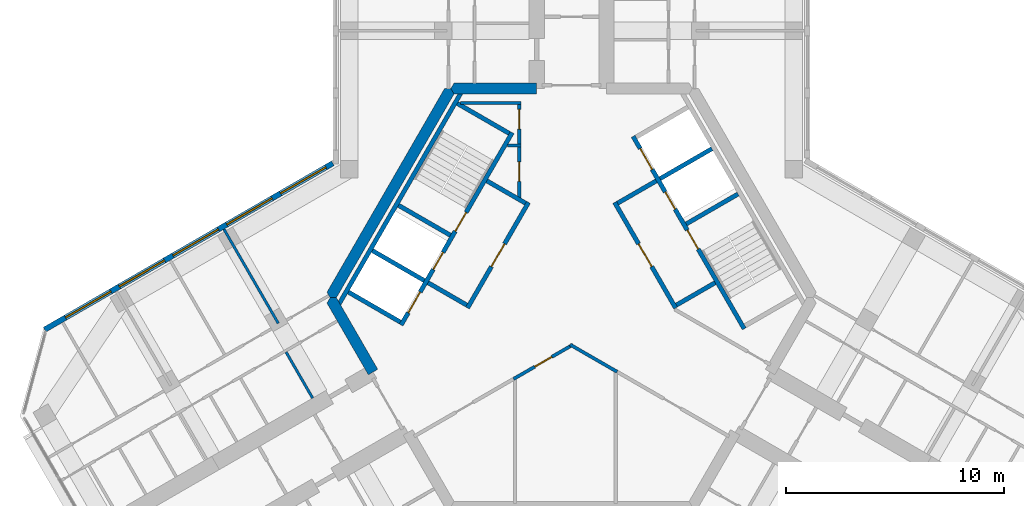
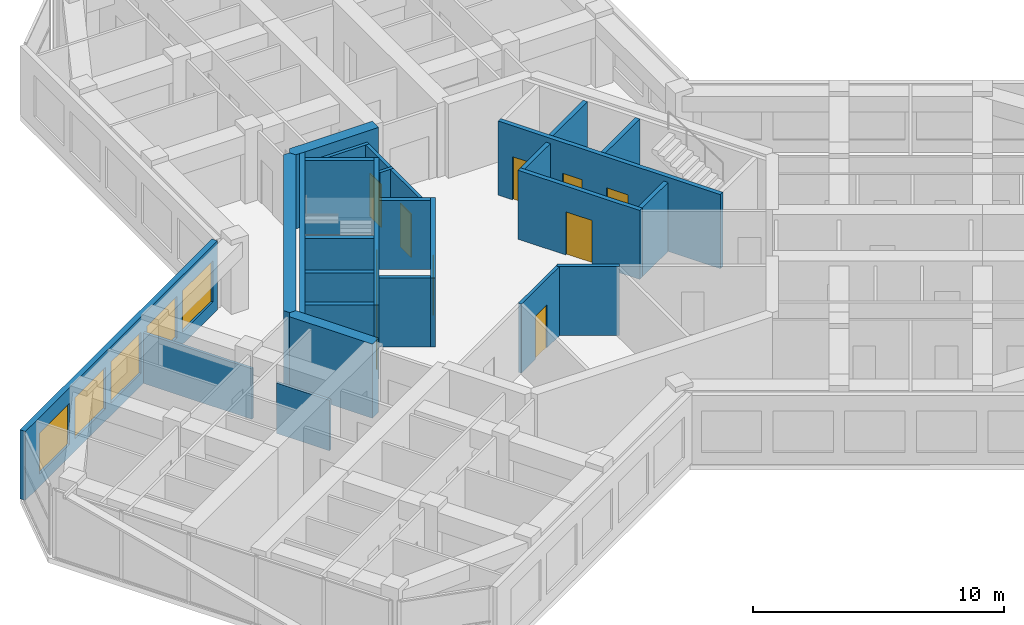
# One storey, part 9 of 14: 26 walls, 11 doors, 5 windows, 16 openings.
"""IFC4 building model written with IfcOpenShell, lengths in metres."""

import ifcopenshell
import ifcopenshell.guid

model = None  # the IFC model being written
_history = None  # IfcOwnerHistory: only IFC2X3 demands one
_inside = {}  # id of a spatial element -> (the spatial element, [elements in it])
_under = {}  # id of a project, library or spatial element -> (it, [spatial elements below it])
_declared = {}  # id of a project -> (the project, [libraries it declares])
_typed = {}  # id of a type object -> (the type object, [elements of that type])
_made_of = {}  # id of a material, layer set ... -> (it, [elements and type objects made of it])


def new_model(schema):
    """Start an empty IFC model of exactly this schema.

    Asked for "IFC4X3", IfcOpenShell would pick the latest addendum, in which some entities
    have other attributes; the version numbers below select the first issue.
    IFC2X3 requires an IfcOwnerHistory on every rooted entity: one is made here for all.
    """
    global model, _history
    if schema == "IFC4X3":
        model = ifcopenshell.file(schema_version=(4, 3, 0, 0))
    else:
        model = ifcopenshell.file(schema=schema)
    _inside.clear()
    _under.clear()
    _declared.clear()
    _typed.clear()
    _made_of.clear()
    _history = None
    if model.schema == "IFC2X3":
        org = make("IfcOrganization", Name="unknown")
        user = make(
            "IfcPersonAndOrganization",
            ThePerson=make("IfcPerson", FamilyName="unknown"),
            TheOrganization=org,
        )
        app = make(
            "IfcApplication",
            ApplicationDeveloper=org,
            Version="unknown",
            ApplicationFullName="unknown",
            ApplicationIdentifier="unknown",
        )
        _history = make(
            "IfcOwnerHistory",
            OwningUser=user,
            OwningApplication=app,
            ChangeAction="ADDED",
            CreationDate=0,
        )
    return model


def make(cls, **values):
    """One entity of the class cls with the attributes given. An attribute that is None is left unset."""
    return model.create_entity(
        cls, **{name: value for name, value in values.items() if value is not None}
    )


def rooted(cls, **values):
    """An entity with a GlobalId (a new one), such as an element, a storey or a relation."""
    return make(cls, GlobalId=ifcopenshell.guid.new(), OwnerHistory=_history, **values)


def si_unit(unit_type, name, prefix=None):
    """IfcSIUnit, for example si_unit("LENGTHUNIT", "METRE", prefix="MILLI")."""
    return make("IfcSIUnit", UnitType=unit_type, Prefix=prefix, Name=name)


def assignment(units):
    """IfcUnitAssignment: the units of a project."""
    return None if units is None else make("IfcUnitAssignment", Units=units)


def point(xyz):
    """IfcCartesianPoint."""
    return None if xyz is None else make("IfcCartesianPoint", Coordinates=xyz)


def direction(xyz):
    """IfcDirection."""
    return None if xyz is None else make("IfcDirection", DirectionRatios=xyz)


def frame(location, z_axis=None, x_axis=None):
    """IfcAxis2Placement3D, a coordinate frame: its origin and axes. An axis left out is left unset."""
    return make(
        "IfcAxis2Placement3D",
        Location=point(location),
        Axis=direction(z_axis),
        RefDirection=direction(x_axis),
    )


def frame_2d(location, x_axis=None):
    """IfcAxis2Placement2D, a coordinate frame in the plane: its origin and x axis."""
    return make(
        "IfcAxis2Placement2D", Location=point(location), RefDirection=direction(x_axis)
    )


def origin():
    """The frame at (0, 0, 0) with its axes left unset."""
    return frame((0.0, 0.0, 0.0))


def place(relative_to, where):
    """IfcLocalPlacement: puts the frame where relative to a parent placement (None: the world)."""
    return make(
        "IfcLocalPlacement", PlacementRelTo=relative_to, RelativePlacement=where
    )


def context(
    kind, dimensions, precision=None, world=None, true_north=None, identifier=None
):
    """IfcGeometricRepresentationContext, for example the 3D "Model" context."""
    return make(
        "IfcGeometricRepresentationContext",
        ContextIdentifier=identifier,
        ContextType=kind,
        CoordinateSpaceDimension=dimensions,
        Precision=precision,
        WorldCoordinateSystem=world,
        TrueNorth=true_north,
    )


def subcontext(parent, identifier, kind, view, scale=None):
    """IfcGeometricRepresentationSubContext, for example "Body" below "Model"."""
    return make(
        "IfcGeometricRepresentationSubContext",
        ContextIdentifier=identifier,
        ContextType=kind,
        ParentContext=parent,
        TargetScale=scale,
        TargetView=view,
    )


def project(units=None, contexts=None):
    """IfcProject with its units and contexts."""
    return rooted(
        "IfcProject",
        Name="project",
        RepresentationContexts=contexts,
        UnitsInContext=assignment(units),
    )


def spatial(cls, under=None, at=None, **own):
    """A site, building, storey or space (cls), placed at a placement, below another one or the project."""
    s = rooted(cls, ObjectPlacement=at, **own)
    if under is not None:
        _under.setdefault(under.id(), (under, []))[1].append(s)
    return s


def polyline(points):
    """IfcPolyline through the points."""
    return make("IfcPolyline", Points=[point(p) for p in points])


def profile(cls, at=None, kind="AREA", **sizes):
    """A parametric profile (cls). Its sizes go by their IFC names, for example OverallWidth=200.0."""
    return make(cls, ProfileType=kind, Position=at, **sizes)


def rectangle(**sizes):
    """IfcRectangleProfileDef."""
    return profile("IfcRectangleProfileDef", **sizes)


def outline(outer, holes=None, kind="AREA"):
    """IfcArbitraryClosedProfileDef: a profile drawn as a closed curve; with holes, ...WithVoids."""
    if holes is None:
        return make("IfcArbitraryClosedProfileDef", ProfileType=kind, OuterCurve=outer)
    return make(
        "IfcArbitraryProfileDefWithVoids",
        ProfileType=kind,
        OuterCurve=outer,
        InnerCurves=holes,
    )


def extrude(swept, where, along, depth):
    """IfcExtrudedAreaSolid: the profile swept, set in the frame where, extruded along a direction by depth."""
    return make(
        "IfcExtrudedAreaSolid",
        SweptArea=swept,
        Position=where,
        ExtrudedDirection=direction(along),
        Depth=depth,
    )


def shape(context_of_items, identifier, shape_type, items):
    """IfcShapeRepresentation: the items that make up one representation, for example the "Body"."""
    return make(
        "IfcShapeRepresentation",
        ContextOfItems=context_of_items,
        RepresentationIdentifier=identifier,
        RepresentationType=shape_type,
        Items=items,
    )


def material(Name=None, Category=None):
    """IfcMaterial."""
    return make("IfcMaterial", Name=Name, Category=Category)


def layer(
    of_material, thickness, ventilated=None, Name=None, Category=None, Priority=None
):
    """IfcMaterialLayer: one layer of a wall or slab, of a material (None: an air gap)."""
    return make(
        "IfcMaterialLayer",
        Material=of_material,
        LayerThickness=thickness,
        IsVentilated=ventilated,
        Name=Name,
        Category=Category,
        Priority=Priority,
    )


def layer_set(layers, Name=None):
    """IfcMaterialLayerSet."""
    return make("IfcMaterialLayerSet", MaterialLayers=layers, LayerSetName=Name)


def made_of(thing, what):
    """Note that an element or type object is made of a material, layer set ...; save() writes the relation."""
    if what is not None:
        _made_of.setdefault(what.id(), (what, []))[1].append(thing)
    return thing


def type_object(cls, material=None, **own):
    """A type object (cls), such as IfcWallType, which elements share."""
    return made_of(rooted(cls, **own), material)


def element(
    cls,
    number,
    at=None,
    inside=None,
    cuts=None,
    type_object=None,
    material=None,
    context=None,
    identifier="Body",
    shape_type=None,
    held_by="IfcProductDefinitionShape",
    body=None,
    shapes=None,
    **own,
):
    """One element of the class cls, such as IfcWall. Its Tag is "e" and its number.

    at: its placement. inside: the storey or other place that contains it. cuts: it is an
    opening in that element (IfcRelVoidsElement). A single representation is given by context,
    identifier, shape_type and body (its items); several are given by shapes. held_by: the class
    of the entity that holds the representations. save() writes the other relations.
    """
    e = rooted(cls, Tag="e%d" % number, ObjectPlacement=at, **own)
    if body is not None:
        shapes = [shape(context, identifier, shape_type, body)]
    if shapes is not None:
        e.Representation = make(held_by, Representations=shapes)
    if inside is not None:
        _inside.setdefault(inside.id(), (inside, []))[1].append(e)
    if cuts is not None:
        rooted(
            "IfcRelVoidsElement", RelatingBuildingElement=cuts, RelatedOpeningElement=e
        )
    if type_object is not None:
        _typed.setdefault(type_object.id(), (type_object, []))[1].append(e)
    return made_of(e, material)


def fill(opening, filler):
    """IfcRelFillsElement: the door or window that sits in an opening."""
    return rooted(
        "IfcRelFillsElement",
        RelatingOpeningElement=opening,
        RelatedBuildingElement=filler,
    )


def aggregate(whole, parts):
    """IfcRelAggregates: a whole, such as a stair, and the parts it consists of."""
    return rooted("IfcRelAggregates", RelatingObject=whole, RelatedObjects=parts)


def save(model, path):
    """Write the relations noted so far, then the file.

    IfcRelAggregates (storeys below a building ...), IfcRelContainedInSpatialStructure (elements
    in a storey), IfcRelDefinesByType, IfcRelAssociatesMaterial and IfcRelDeclares: one each for
    every whole, place, type object, material and project.
    """
    for whole, parts in _under.values():
        aggregate(whole, parts)
    for where, things in _inside.values():
        rooted(
            "IfcRelContainedInSpatialStructure",
            RelatedElements=things,
            RelatingStructure=where,
        )
    for kind, things in _typed.values():
        rooted("IfcRelDefinesByType", RelatedObjects=things, RelatingType=kind)
    for what, things in _made_of.values():
        rooted("IfcRelAssociatesMaterial", RelatedObjects=things, RelatingMaterial=what)
    for by, libraries in _declared.values():
        rooted("IfcRelDeclares", RelatingContext=by, RelatedDefinitions=libraries)
    model.write(path)


model = new_model("IFC4")

# Units and contexts
model_context = context("Model", 3, precision=1e-05, world=origin(), true_north=direction((0.0, 1.0)))
body_context = subcontext(model_context, "Body", "Model", "MODEL_VIEW")
ifc_project = project(units=[si_unit("LENGTHUNIT", "METRE"), si_unit("AREAUNIT", "SQUARE_METRE"), si_unit("VOLUMEUNIT", "CUBIC_METRE"), si_unit("PLANEANGLEUNIT", "RADIAN"), si_unit("MASSUNIT", "GRAM", prefix="KILO")], contexts=[model_context])

# Site, building, storey
site_placement = place(None, origin())
site = spatial("IfcSite", under=ifc_project, at=site_placement, CompositionType="ELEMENT")
building_placement = place(site_placement, origin())
building = spatial("IfcBuilding", under=site, at=building_placement, Name="Kosmar Iwan School Tower", CompositionType="ELEMENT")
storey_placement = place(building_placement, frame((0.0, 0.0, 289.0)))
storey = spatial("IfcBuildingStorey", under=building, at=storey_placement, Name="L73", CompositionType="ELEMENT", Elevation=289.0)

# Wall, openings, doors
ifc_material_1 = material(Name="Gypsum board on steel studs, fire-rated", Category="steel")
ifc_layer_1 = layer(ifc_material_1, 0.14990234375)
ifc_layer_set_1 = layer_set([ifc_layer_1], Name="Core room partition 150")
wall_type_1 = type_object("IfcWallType", Name="Core room partition 150", PredefinedType="PARTITIONING", material=ifc_layer_set_1)
wall_1_placement = place(storey_placement, frame((-2.39990234375, 9.014892578125, 0.0), z_axis=(0.0, 0.0, 1.0), x_axis=(0.0, -1.0, 0.0)))
wall_1 = element("IfcWall", 1, at=wall_1_placement, inside=storey, type_object=wall_type_1, Name="Core room partition L73-CW1", PredefinedType="PARTITIONING", context=body_context, shape_type="SweptSolid", body=[
    extrude(rectangle(XDim=4.484130859375, YDim=0.14990234375, at=frame_2d((2.2421875, 0.0))), origin(), (0.0, 0.0, 1.0), 3.35009765625),
])
opening_1_placement = place(wall_1_placement, frame((0.375, 0.0, 0.0)))
opening_1 = element("IfcOpeningElement", 2, at=opening_1_placement, cuts=wall_1, Name="Opening D14", PredefinedType="OPENING", context=body_context, shape_type="SweptSolid", body=[
    extrude(rectangle(XDim=0.89990234375, YDim=2.10009765625, at=frame_2d((0.449951171875, 1.050048828125))), frame((0.0, 0.0869140625, 0.0), z_axis=(0.0, -1.0, 0.0), x_axis=(1.0, 0.0, 0.0)), (0.0, 0.0, 1.0), 0.173828125),
])
opening_2_placement = place(wall_1_placement, frame((2.77490234375, 0.0, 0.0)))
opening_2 = element("IfcOpeningElement", 3, at=opening_2_placement, cuts=wall_1, Name="Opening D14", PredefinedType="OPENING", context=body_context, shape_type="SweptSolid", body=[
    extrude(rectangle(XDim=0.89990234375, YDim=2.10009765625, at=frame_2d((0.449951171875, 1.050048828125))), frame((0.0, 0.0869140625, 0.0), z_axis=(0.0, -1.0, 0.0), x_axis=(1.0, 0.0, 0.0)), (0.0, 0.0, 1.0), 0.173828125),
])
ifc_material_2 = material(Name="Timber fire door in steel frame", Category="steel")
door_type_1 = type_object("IfcDoorType", Name="Core room door 900x2100", OperationType="SINGLE_SWING_LEFT", PredefinedType="DOOR", material=ifc_material_2)
door_1_placement = place(opening_1_placement, origin())
door_1 = element("IfcDoor", 4, at=door_1_placement, inside=storey, type_object=door_type_1, Name="Electrical riser and switch room door L73 1", OperationType="SINGLE_SWING_LEFT", OverallHeight=2.10009765625, OverallWidth=0.89990234375, PredefinedType="DOOR", context=body_context, shape_type="SweptSolid", body=[
    extrude(rectangle(XDim=0.89990234375, YDim=2.10009765625, at=frame_2d((0.449951171875, 1.050048828125))), frame((0.0, 0.02490234375, 0.0), z_axis=(0.0, -1.0, 0.0), x_axis=(1.0, 0.0, 0.0)), (0.0, 0.0, 1.0), 0.050048828125),
])
fill(opening_1, door_1)
door_2_placement = place(opening_2_placement, origin())
door_2 = element("IfcDoor", 5, at=door_2_placement, inside=storey, type_object=door_type_1, Name="Plumbing and wet riser door L73 2", OperationType="SINGLE_SWING_RIGHT", OverallHeight=2.10009765625, OverallWidth=0.89990234375, PredefinedType="DOOR", context=body_context, shape_type="SweptSolid", body=[
    extrude(rectangle(XDim=0.89990234375, YDim=2.10009765625, at=frame_2d((0.449951171875, 1.050048828125))), frame((0.0, 0.02490234375, 0.0), z_axis=(0.0, -1.0, 0.0), x_axis=(1.0, 0.0, 0.0)), (0.0, 0.0, 1.0), 0.050048828125),
])
fill(opening_2, door_2)

# Walls
wall_2_placement = place(storey_placement, frame((-2.324951171875, 6.985107421875, 0.0), z_axis=(0.0, 0.0, 1.0), x_axis=(-1.0, 0.0, 0.0)))
element("IfcWall", 6, at=wall_2_placement, inside=storey, type_object=wall_type_1, Name="Core room partition L73-CW2", PredefinedType="PARTITIONING", context=body_context, shape_type="SweptSolid", body=[
    extrude(rectangle(XDim=0.623779296875, YDim=0.14990234375, at=frame_2d((0.31201171875, 0.0))), origin(), (0.0, 0.0, 1.0), 3.35009765625),
])
wall_3_placement = place(storey_placement, frame((-5.089599609375, 8.93994140625, 0.0), z_axis=(0.0, 0.0, 1.0), x_axis=(1.0, 0.0, 0.0)))
element("IfcWall", 7, at=wall_3_placement, inside=storey, type_object=wall_type_1, Name="Core room partition L73-CW3", PredefinedType="PARTITIONING", context=body_context, shape_type="SweptSolid", body=[
    extrude(rectangle(XDim=2.7646484375, YDim=0.14990234375, at=frame_2d((1.38232421875, 0.0))), origin(), (0.0, 0.0, 1.0), 3.35009765625),
])

# Wall, opening, door
wall_4_placement = place(storey_placement, frame((-2.666015625, -3.733154296875, 0.0), z_axis=(0.0, 0.0, 1.0), x_axis=(0.866033453245, 0.499986057666, 0.0)))
wall_4 = element("IfcWall", 8, at=wall_4_placement, inside=storey, type_object=wall_type_1, Name="Core room partition L73-CW8", PredefinedType="PARTITIONING", context=body_context, shape_type="SweptSolid", body=[
    extrude(rectangle(XDim=3.1533203125, YDim=0.14990234375, at=frame_2d((1.57666015625, 0.0))), origin(), (0.0, 0.0, 1.0), 3.35009765625),
])
opening_3_placement = place(wall_4_placement, frame((1.126953125, 0.0, 0.0)))
opening_3 = element("IfcOpeningElement", 9, at=opening_3_placement, cuts=wall_4, Name="Opening D14", PredefinedType="OPENING", context=body_context, shape_type="SweptSolid", body=[
    extrude(rectangle(XDim=0.89990234375, YDim=2.10009765625, at=frame_2d((0.449951171875, 1.050048828125))), frame((0.0, 0.0869140625, 0.0), z_axis=(0.0, -1.0, 0.0), x_axis=(1.0, 0.0, 0.0)), (0.0, 0.0, 1.0), 0.173828125),
])
door_3_placement = place(opening_3_placement, origin())
door_3 = element("IfcDoor", 10, at=door_3_placement, inside=storey, type_object=door_type_1, Name="Parcel room door L73 4", OperationType="SINGLE_SWING_RIGHT", OverallHeight=2.10009765625, OverallWidth=0.89990234375, PredefinedType="DOOR", context=body_context, shape_type="SweptSolid", body=[
    extrude(rectangle(XDim=0.89990234375, YDim=2.10009765625, at=frame_2d((0.449951171875, 1.050048828125))), frame((0.0, 0.02490234375, 0.0), z_axis=(0.0, -1.0, 0.0), x_axis=(1.0, 0.0, 0.0)), (0.0, 0.0, 1.0), 0.050048828125),
])
fill(opening_3, door_3)

# Walls
wall_5_placement = place(storey_placement, frame((-0.06494140625, -2.156494140625, 0.0), z_axis=(0.0, 0.0, 1.0), x_axis=(0.866053128592, -0.49995197615, 0.0)))
element("IfcWall", 11, at=wall_5_placement, inside=storey, type_object=wall_type_1, Name="Core room partition L73-CW9", PredefinedType="PARTITIONING", context=body_context, shape_type="SweptSolid", body=[
    extrude(rectangle(XDim=2.486083984375, YDim=0.14990234375, at=frame_2d((1.2431640625, 0.0))), origin(), (0.0, 0.0, 1.0), 3.35009765625),
])
ifc_material_3 = material(Name="Concrete C50/60", Category="concrete")
ifc_layer_2 = layer(ifc_material_3, 0.5)
ifc_layer_set_2 = layer_set([ifc_layer_2], Name="Core wall 500")
wall_type_2 = type_object("IfcWallType", Name="Core wall 500", PredefinedType="SHEAR", material=ifc_layer_set_2)
wall_6_placement = place(storey_placement, origin())
element("IfcWall", 12, at=wall_6_placement, inside=storey, type_object=wall_type_2, Name="Core wall F090b", PredefinedType="SHEAR", context=body_context, shape_type="SweptSolid", body=[
    extrude(outline(polyline([(-5.398193359375, 9.35009765625), (-1.60009765625, 9.35009765625), (-1.60009765625, 9.85009765625), (-5.398193359375, 9.85009765625), (-5.54248046875, 9.60009765625), (-5.398193359375, 9.35009765625)])), origin(), (0.0, 0.0, 1.0), 3.60009765625),
])
wall_7_placement = place(storey_placement, origin())
element("IfcWall", 13, at=wall_7_placement, inside=storey, type_object=wall_type_2, Name="Core wall F150", PredefinedType="SHEAR", context=body_context, shape_type="SweptSolid", body=[
    extrude(outline(polyline([(-11.085205078125, 0.0), (-10.79638671875, 0.0), (-5.398193359375, 9.35009765625), (-5.54248046875, 9.60009765625), (-5.831298828125, 9.60009765625), (-11.2294921875, 0.25), (-11.085205078125, 0.0)])), origin(), (0.0, 0.0, 1.0), 3.60009765625),
])
wall_8_placement = place(storey_placement, origin())
element("IfcWall", 14, at=wall_8_placement, inside=storey, type_object=wall_type_2, Name="Core wall F210a", PredefinedType="SHEAR", context=body_context, shape_type="SweptSolid", body=[
    extrude(outline(polyline([(-9.330322265625, -3.539306640625), (-8.897216796875, -3.289306640625), (-10.79638671875, 0.0), (-11.085205078125, 0.0), (-11.2294921875, -0.25), (-9.330322265625, -3.539306640625)])), origin(), (0.0, 0.0, 1.0), 3.60009765625),
])
ifc_material_4 = material(Name="Gypsum board on steel studs", Category="steel")
ifc_layer_3 = layer(ifc_material_4, 0.1201171875)
ifc_layer_set_3 = layer_set([ifc_layer_3], Name="Dwelling partition 120")
wall_type_3 = type_object("IfcWallType", Name="Dwelling partition 120", PredefinedType="PARTITIONING", material=ifc_layer_set_3)
wall_9_placement = place(storey_placement, frame((-13.4638671875, -1.179931640625, 0.0), z_axis=(0.0, 0.0, 1.0), x_axis=(-0.499975153383, 0.86603974851, 0.0)))
element("IfcWall", 15, at=wall_9_placement, inside=storey, type_object=wall_type_3, Name="Partition L73-BR1-X1", PredefinedType="PARTITIONING", context=body_context, shape_type="SweptSolid", body=[
    extrude(rectangle(XDim=4.989990234375, YDim=0.1201171875, at=frame_2d((2.4951171875, 0.0))), origin(), (0.0, 0.0, 1.0), 2.449951171875),
])
wall_10_placement = place(storey_placement, frame((-11.886962890625, -4.611328125, 0.0), z_axis=(0.0, 0.0, 1.0), x_axis=(-0.499959183527, 0.866048967903, 0.0)))
element("IfcWall", 16, at=wall_10_placement, inside=storey, type_object=wall_type_3, Name="Partition L73-BR1-Y1", PredefinedType="PARTITIONING", context=body_context, shape_type="SweptSolid", body=[
    extrude(rectangle(XDim=2.440185546875, YDim=0.1201171875, at=frame_2d((1.22021484375, 0.0))), origin(), (0.0, 0.0, 1.0), 2.449951171875),
])

# Wall, openings, windows
ifc_material_5 = material(Name="Black aluminium rainscreen on insulated framing", Category="aluminium")
ifc_layer_4 = layer(ifc_material_5, 0.25)
ifc_layer_set_4 = layer_set([ifc_layer_4], Name="External wall rainscreen 250")
wall_type_4 = type_object("IfcWallType", Name="External wall rainscreen 250", PredefinedType="SOLIDWALL", material=ifc_layer_set_4)
wall_11_placement = place(storey_placement, frame((-10.962890625, 6.170166015625, 0.0), z_axis=(0.0, 0.0, 1.0), x_axis=(-0.866025637253, -0.499999595621, 0.0)))
wall_11 = element("IfcWall", 17, at=wall_11_placement, inside=storey, type_object=wall_type_4, Name="External wall BR L73", PredefinedType="SOLIDWALL", context=body_context, shape_type="SweptSolid", body=[
    extrude(rectangle(XDim=15.2763671875, YDim=0.25, at=frame_2d((7.63818359375, 0.0))), origin(), (0.0, 0.0, 1.0), 3.35009765625),
])
opening_4_placement = place(wall_11_placement, frame((0.365966796875, 0.0, 0.60009765625)))
opening_4 = element("IfcOpeningElement", 18, at=opening_4_placement, cuts=wall_11, Name="Opening W6", PredefinedType="OPENING", context=body_context, shape_type="SweptSolid", body=[
    extrude(rectangle(XDim=2.39990234375, YDim=2.0, at=frame_2d((1.199951171875, 1.0))), frame((0.0, 0.136962890625, 0.0), z_axis=(0.0, -1.0, 0.0), x_axis=(1.0, 0.0, 0.0)), (0.0, 0.0, 1.0), 0.27392578125),
])
opening_5_placement = place(wall_11_placement, frame((3.216064453125, 0.0, 0.60009765625)))
opening_5 = element("IfcOpeningElement", 19, at=opening_5_placement, cuts=wall_11, Name="Opening W6", PredefinedType="OPENING", context=body_context, shape_type="SweptSolid", body=[
    extrude(rectangle(XDim=2.39990234375, YDim=2.0, at=frame_2d((1.199951171875, 1.0))), frame((0.0, 0.136962890625, 0.0), z_axis=(0.0, -1.0, 0.0), x_axis=(1.0, 0.0, 0.0)), (0.0, 0.0, 1.0), 0.27392578125),
])
opening_6_placement = place(wall_11_placement, frame((6.06591796875, 0.0, 0.60009765625)))
opening_6 = element("IfcOpeningElement", 20, at=opening_6_placement, cuts=wall_11, Name="Opening W6", PredefinedType="OPENING", context=body_context, shape_type="SweptSolid", body=[
    extrude(rectangle(XDim=2.39990234375, YDim=2.0, at=frame_2d((1.199951171875, 1.0))), frame((0.0, 0.136962890625, 0.0), z_axis=(0.0, -1.0, 0.0), x_axis=(1.0, 0.0, 0.0)), (0.0, 0.0, 1.0), 0.27392578125),
])
opening_7_placement = place(wall_11_placement, frame((8.916015625, 0.0, 0.60009765625)))
opening_7 = element("IfcOpeningElement", 21, at=opening_7_placement, cuts=wall_11, Name="Opening W6", PredefinedType="OPENING", context=body_context, shape_type="SweptSolid", body=[
    extrude(rectangle(XDim=2.39990234375, YDim=2.0, at=frame_2d((1.199951171875, 1.0))), frame((0.0, 0.136962890625, 0.0), z_axis=(0.0, -1.0, 0.0), x_axis=(1.0, 0.0, 0.0)), (0.0, 0.0, 1.0), 0.27392578125),
])
opening_8_placement = place(wall_11_placement, frame((11.76611328125, 0.0, 0.60009765625)))
opening_8 = element("IfcOpeningElement", 22, at=opening_8_placement, cuts=wall_11, Name="Opening W6", PredefinedType="OPENING", context=body_context, shape_type="SweptSolid", body=[
    extrude(rectangle(XDim=2.39990234375, YDim=2.0, at=frame_2d((1.199951171875, 1.0))), frame((0.0, 0.136962890625, 0.0), z_axis=(0.0, -1.0, 0.0), x_axis=(1.0, 0.0, 0.0)), (0.0, 0.0, 1.0), 0.27392578125),
])
ifc_material_6 = material(Name="Black aluminium frame with dark triple glazing", Category="aluminium")
window_type = type_object("IfcWindowType", Name="Window 2400x2000", PartitioningType="SINGLE_PANEL", PredefinedType="WINDOW", material=ifc_material_6)
window_1_placement = place(opening_4_placement, origin())
window_1 = element("IfcWindow", 23, at=window_1_placement, inside=storey, type_object=window_type, Name="Window BR L73 -1", OverallHeight=2.0, OverallWidth=2.39990234375, PartitioningType="SINGLE_PANEL", PredefinedType="WINDOW", context=body_context, shape_type="SweptSolid", body=[
    extrude(rectangle(XDim=2.39990234375, YDim=2.0, at=frame_2d((1.199951171875, 1.0))), frame((0.0, 0.030029296875, 0.0), z_axis=(0.0, -1.0, 0.0), x_axis=(1.0, 0.0, 0.0)), (0.0, 0.0, 1.0), 0.06005859375),
])
fill(opening_4, window_1)
window_2_placement = place(opening_5_placement, origin())
window_2 = element("IfcWindow", 24, at=window_2_placement, inside=storey, type_object=window_type, Name="Window BR L73 0", OverallHeight=2.0, OverallWidth=2.39990234375, PartitioningType="SINGLE_PANEL", PredefinedType="WINDOW", context=body_context, shape_type="SweptSolid", body=[
    extrude(rectangle(XDim=2.39990234375, YDim=2.0, at=frame_2d((1.199951171875, 1.0))), frame((0.0, 0.030029296875, 0.0), z_axis=(0.0, -1.0, 0.0), x_axis=(1.0, 0.0, 0.0)), (0.0, 0.0, 1.0), 0.06005859375),
])
fill(opening_5, window_2)
window_3_placement = place(opening_6_placement, origin())
window_3 = element("IfcWindow", 25, at=window_3_placement, inside=storey, type_object=window_type, Name="Window BR L73 1", OverallHeight=2.0, OverallWidth=2.39990234375, PartitioningType="SINGLE_PANEL", PredefinedType="WINDOW", context=body_context, shape_type="SweptSolid", body=[
    extrude(rectangle(XDim=2.39990234375, YDim=2.0, at=frame_2d((1.199951171875, 1.0))), frame((0.0, 0.030029296875, 0.0), z_axis=(0.0, -1.0, 0.0), x_axis=(1.0, 0.0, 0.0)), (0.0, 0.0, 1.0), 0.06005859375),
])
fill(opening_6, window_3)
window_4_placement = place(opening_7_placement, origin())
window_4 = element("IfcWindow", 26, at=window_4_placement, inside=storey, type_object=window_type, Name="Window BR L73 2", OverallHeight=2.0, OverallWidth=2.39990234375, PartitioningType="SINGLE_PANEL", PredefinedType="WINDOW", context=body_context, shape_type="SweptSolid", body=[
    extrude(rectangle(XDim=2.39990234375, YDim=2.0, at=frame_2d((1.199951171875, 1.0))), frame((0.0, 0.030029296875, 0.0), z_axis=(0.0, -1.0, 0.0), x_axis=(1.0, 0.0, 0.0)), (0.0, 0.0, 1.0), 0.06005859375),
])
fill(opening_7, window_4)
window_5_placement = place(opening_8_placement, origin())
window_5 = element("IfcWindow", 27, at=window_5_placement, inside=storey, type_object=window_type, Name="Window BR L73 3", OverallHeight=2.0, OverallWidth=2.39990234375, PartitioningType="SINGLE_PANEL", PredefinedType="WINDOW", context=body_context, shape_type="SweptSolid", body=[
    extrude(rectangle(XDim=2.39990234375, YDim=2.0, at=frame_2d((1.199951171875, 1.0))), frame((0.0, 0.030029296875, 0.0), z_axis=(0.0, -1.0, 0.0), x_axis=(1.0, 0.0, 0.0)), (0.0, 0.0, 1.0), 0.06005859375),
])
fill(opening_8, window_5)

# Wall, opening, door
ifc_material_7 = material(Name="Concrete block masonry", Category="masonry")
ifc_layer_5 = layer(ifc_material_7, 0.199951171875)
ifc_layer_set_5 = layer_set([ifc_layer_5], Name="Fire lobby wall 200")
wall_type_5 = type_object("IfcWallType", Name="Fire lobby wall 200", PredefinedType="PARTITIONING", material=ifc_layer_set_5)
wall_12_placement = place(storey_placement, frame((-1.9775390625, 4.374755859375, 0.0), z_axis=(0.0, 0.0, 1.0), x_axis=(-0.500016814911, -0.866015695474, 0.0)))
wall_12 = element("IfcWall", 28, at=wall_12_placement, inside=storey, type_object=wall_type_5, Name="Firefighting lobby wall ST2", PredefinedType="PARTITIONING", context=body_context, shape_type="SweptSolid", body=[
    extrude(rectangle(XDim=5.599853515625, YDim=0.199951171875, at=frame_2d((2.7998046875, 0.0))), origin(), (0.0, 0.0, 1.0), 3.35009765625),
])
opening_9_placement = place(wall_12_placement, frame((2.199951171875, 0.0, 0.0)))
opening_9 = element("IfcOpeningElement", 29, at=opening_9_placement, cuts=wall_12, Name="Opening D7", PredefinedType="OPENING", context=body_context, shape_type="SweptSolid", body=[
    extrude(rectangle(XDim=1.199951171875, YDim=2.10009765625, at=frame_2d((0.60009765625, 1.050048828125))), frame((0.0, 0.112060546875, 0.0), z_axis=(0.0, -1.0, 0.0), x_axis=(1.0, 0.0, 0.0)), (0.0, 0.0, 1.0), 0.223876953125),
])
ifc_material_8 = material(Name="Steel fire door", Category="steel")
door_type_2 = type_object("IfcDoorType", Name="Fire lobby door 1200x2100", OperationType="SINGLE_SWING_LEFT", PredefinedType="DOOR", material=ifc_material_8)
door_4_placement = place(opening_9_placement, origin())
door_4 = element("IfcDoor", 30, at=door_4_placement, inside=storey, type_object=door_type_2, Name="Firefighting lobby door ST2 L73", OperationType="SINGLE_SWING_LEFT", OverallHeight=2.10009765625, OverallWidth=1.199951171875, PredefinedType="DOOR", context=body_context, shape_type="SweptSolid", body=[
    extrude(rectangle(XDim=1.199951171875, YDim=2.10009765625, at=frame_2d((0.60009765625, 1.050048828125))), frame((0.0, 0.02490234375, 0.0), z_axis=(0.0, -1.0, 0.0), x_axis=(1.0, 0.0, 0.0)), (0.0, 0.0, 1.0), 0.050048828125),
])
fill(opening_9, door_4)

# Walls
wall_13_placement = place(storey_placement, frame((-2.114013671875, 4.33837890625, 0.0), z_axis=(0.0, 0.0, 1.0), x_axis=(-0.866050731258, 0.499956128963, 0.0)))
element("IfcWall", 31, at=wall_13_placement, inside=storey, type_object=wall_type_5, Name="Firefighting lobby wall ST2", PredefinedType="PARTITIONING", context=body_context, shape_type="SweptSolid", body=[
    extrude(rectangle(XDim=2.050048828125, YDim=0.199951171875, at=frame_2d((1.02490234375, 0.0))), origin(), (0.0, 0.0, 1.0), 3.35009765625),
])
wall_14_placement = place(storey_placement, frame((-4.814208984375, -0.33837890625, 0.0), z_axis=(0.0, 0.0, 1.0), x_axis=(-0.865969381856, 0.500097020274, 0.0)))
element("IfcWall", 32, at=wall_14_placement, inside=storey, type_object=wall_type_5, Name="Firefighting lobby wall ST2", PredefinedType="PARTITIONING", context=body_context, shape_type="SweptSolid", body=[
    extrude(rectangle(XDim=2.0498046875, YDim=0.199951171875, at=frame_2d((1.02490234375, 0.0))), origin(), (0.0, 0.0, 1.0), 3.35009765625),
])

# Wall, opening, door
wall_15_placement = place(storey_placement, frame((4.777587890625, -0.474853515625, 0.0), z_axis=(0.0, 0.0, 1.0), x_axis=(-0.500016814911, 0.866015695474, 0.0)))
wall_15 = element("IfcWall", 33, at=wall_15_placement, inside=storey, type_object=wall_type_5, Name="Firefighting lobby wall ST1", PredefinedType="PARTITIONING", context=body_context, shape_type="SweptSolid", body=[
    extrude(rectangle(XDim=5.599853515625, YDim=0.199951171875, at=frame_2d((2.7998046875, 0.0))), origin(), (0.0, 0.0, 1.0), 3.35009765625),
])
opening_10_placement = place(wall_15_placement, frame((2.199951171875, 0.0, 0.0)))
opening_10 = element("IfcOpeningElement", 34, at=opening_10_placement, cuts=wall_15, Name="Opening D7", PredefinedType="OPENING", context=body_context, shape_type="SweptSolid", body=[
    extrude(rectangle(XDim=1.199951171875, YDim=2.10009765625, at=frame_2d((0.60009765625, 1.050048828125))), frame((0.0, 0.112060546875, 0.0), z_axis=(0.0, -1.0, 0.0), x_axis=(1.0, 0.0, 0.0)), (0.0, 0.0, 1.0), 0.223876953125),
])
door_5_placement = place(opening_10_placement, origin())
door_5 = element("IfcDoor", 35, at=door_5_placement, inside=storey, type_object=door_type_2, Name="Firefighting lobby door ST1 L73", OperationType="SINGLE_SWING_LEFT", OverallHeight=2.10009765625, OverallWidth=1.199951171875, PredefinedType="DOOR", context=body_context, shape_type="SweptSolid", body=[
    extrude(rectangle(XDim=1.199951171875, YDim=2.10009765625, at=frame_2d((0.60009765625, 1.050048828125))), frame((0.0, 0.02490234375, 0.0), z_axis=(0.0, -1.0, 0.0), x_axis=(1.0, 0.0, 0.0)), (0.0, 0.0, 1.0), 0.050048828125),
])
fill(opening_10, door_5)

# Walls
wall_16_placement = place(storey_placement, frame((4.814208984375, -0.33837890625, 0.0), z_axis=(0.0, 0.0, 1.0), x_axis=(0.865969381856, 0.500097020274, 0.0)))
element("IfcWall", 36, at=wall_16_placement, inside=storey, type_object=wall_type_5, Name="Firefighting lobby wall ST1", PredefinedType="PARTITIONING", context=body_context, shape_type="SweptSolid", body=[
    extrude(rectangle(XDim=2.0498046875, YDim=0.199951171875, at=frame_2d((1.02490234375, 0.0))), origin(), (0.0, 0.0, 1.0), 3.35009765625),
])
wall_17_placement = place(storey_placement, frame((2.114013671875, 4.33837890625, 0.0), z_axis=(0.0, 0.0, 1.0), x_axis=(0.866050731258, 0.499956128963, 0.0)))
element("IfcWall", 37, at=wall_17_placement, inside=storey, type_object=wall_type_5, Name="Firefighting lobby wall ST1", PredefinedType="PARTITIONING", context=body_context, shape_type="SweptSolid", body=[
    extrude(rectangle(XDim=2.050048828125, YDim=0.199951171875, at=frame_2d((1.02490234375, 0.0))), origin(), (0.0, 0.0, 1.0), 3.35009765625),
])

# Wall, openings, doors
ifc_material_9 = material(Name="Concrete C50/60", Category="concrete")
ifc_layer_6 = layer(ifc_material_9, 0.199951171875)
ifc_layer_set_6 = layer_set([ifc_layer_6], Name="Lift shaft wall 200")
wall_type_6 = type_object("IfcWallType", Name="Lift shaft wall 200", PredefinedType="SHEAR", material=ifc_layer_set_6)
wall_18_placement = place(storey_placement, frame((-2.72607421875, 7.578369140625, 0.0), z_axis=(0.0, 0.0, 1.0), x_axis=(-0.500005610874, -0.86602216432, 0.0)))
wall_18 = element("IfcWall", 38, at=wall_18_placement, inside=storey, type_object=wall_type_6, Name="Lift and stair front wall AB", PredefinedType="SHEAR", context=body_context, shape_type="SweptSolid", body=[
    extrude(rectangle(XDim=10.2001953125, YDim=0.199951171875, at=frame_2d((5.10009765625, 0.0))), origin(), (0.0, 0.0, 1.0), 3.60009765625),
])
opening_11_placement = place(wall_18_placement, frame((6.35009765625, 0.0, 0.0)))
opening_11 = element("IfcOpeningElement", 39, at=opening_11_placement, cuts=wall_18, Name="Opening LD2", PredefinedType="OPENING", context=body_context, shape_type="SweptSolid", body=[
    extrude(rectangle(XDim=0.89990234375, YDim=2.10009765625, at=frame_2d((0.449951171875, 1.050048828125))), frame((0.0, 0.112060546875, 0.0), z_axis=(0.0, -1.0, 0.0), x_axis=(1.0, 0.0, 0.0)), (0.0, 0.0, 1.0), 0.223876953125),
])
opening_12_placement = place(wall_18_placement, frame((8.449951171875, 0.0, 0.0)))
opening_12 = element("IfcOpeningElement", 40, at=opening_12_placement, cuts=wall_18, Name="Opening LD1", PredefinedType="OPENING", context=body_context, shape_type="SweptSolid", body=[
    extrude(rectangle(XDim=1.10009765625, YDim=2.10009765625, at=frame_2d((0.550048828125, 1.050048828125))), frame((0.0, 0.112060546875, 0.0), z_axis=(0.0, -1.0, 0.0), x_axis=(1.0, 0.0, 0.0)), (0.0, 0.0, 1.0), 0.223876953125),
])
opening_13_placement = place(wall_18_placement, frame((4.22998046875, 0.0, 0.0)))
opening_13 = element("IfcOpeningElement", 41, at=opening_13_placement, cuts=wall_18, Name="Opening D6", PredefinedType="OPENING", context=body_context, shape_type="SweptSolid", body=[
    extrude(rectangle(XDim=1.0, YDim=2.10009765625, at=frame_2d((0.5, 1.050048828125))), frame((0.0, 0.112060546875, 0.0), z_axis=(0.0, -1.0, 0.0), x_axis=(1.0, 0.0, 0.0)), (0.0, 0.0, 1.0), 0.223876953125),
])
ifc_material_10 = material(Name="Stainless steel sliding lift door", Category="steel")
door_type_3 = type_object("IfcDoorType", Name="Firefighting lift landing door 900x2100", OperationType="SLIDING_TO_LEFT", PredefinedType="DOOR", material=ifc_material_10)
door_6_placement = place(opening_11_placement, origin())
door_6 = element("IfcDoor", 42, at=door_6_placement, inside=storey, type_object=door_type_3, Name="Lift FF2 landing door L73", OperationType="SLIDING_TO_LEFT", OverallHeight=2.10009765625, OverallWidth=0.89990234375, PredefinedType="DOOR", context=body_context, shape_type="SweptSolid", body=[
    extrude(rectangle(XDim=0.89990234375, YDim=2.10009765625, at=frame_2d((0.449951171875, 1.050048828125))), frame((0.0, 0.02490234375, 0.0), z_axis=(0.0, -1.0, 0.0), x_axis=(1.0, 0.0, 0.0)), (0.0, 0.0, 1.0), 0.050048828125),
])
fill(opening_11, door_6)
ifc_material_11 = material(Name="Stainless steel sliding lift door", Category="steel")
door_type_4 = type_object("IfcDoorType", Name="Lift landing door 1100x2100", OperationType="SLIDING_TO_LEFT", PredefinedType="DOOR", material=ifc_material_11)
door_7_placement = place(opening_12_placement, origin())
door_7 = element("IfcDoor", 43, at=door_7_placement, inside=storey, type_object=door_type_4, Name="Lift PL6 landing door L73", OperationType="SLIDING_TO_LEFT", OverallHeight=2.10009765625, OverallWidth=1.10009765625, PredefinedType="DOOR", context=body_context, shape_type="SweptSolid", body=[
    extrude(rectangle(XDim=1.10009765625, YDim=2.10009765625, at=frame_2d((0.550048828125, 1.050048828125))), frame((0.0, 0.02490234375, 0.0), z_axis=(0.0, -1.0, 0.0), x_axis=(1.0, 0.0, 0.0)), (0.0, 0.0, 1.0), 0.050048828125),
])
fill(opening_12, door_7)
ifc_material_12 = material(Name="Steel fire door", Category="steel")
door_type_5 = type_object("IfcDoorType", Name="Stair door 1000x2100", OperationType="SINGLE_SWING_LEFT", PredefinedType="DOOR", material=ifc_material_12)
door_8_placement = place(opening_13_placement, origin())
door_8 = element("IfcDoor", 44, at=door_8_placement, inside=storey, type_object=door_type_5, Name="Stair ST2 door L73", OperationType="SINGLE_SWING_LEFT", OverallHeight=2.10009765625, OverallWidth=1.0, PredefinedType="DOOR", context=body_context, shape_type="SweptSolid", body=[
    extrude(rectangle(XDim=1.0, YDim=2.10009765625, at=frame_2d((0.5, 1.050048828125))), frame((0.0, 0.02490234375, 0.0), z_axis=(0.0, -1.0, 0.0), x_axis=(1.0, 0.0, 0.0)), (0.0, 0.0, 1.0), 0.050048828125),
])
fill(opening_13, door_8)

# Walls
wall_19_placement = place(storey_placement, frame((-5.08056640625, 9.39990234375, 0.0), z_axis=(0.0, 0.0, 1.0), x_axis=(-0.500004846395, -0.866022605699, 0.0)))
element("IfcWall", 45, at=wall_19_placement, inside=storey, type_object=wall_type_6, Name="Lift and stair back wall AB", PredefinedType="SHEAR", context=body_context, shape_type="SweptSolid", body=[
    extrude(rectangle(XDim=11.20068359375, YDim=0.199951171875, at=frame_2d((5.600341796875, 0.0))), origin(), (0.0, 0.0, 1.0), 3.60009765625),
])
for number, where, z_axis, x_axis, name in (
    (46, (-6.7626953125, 0.78662109375, 0.0), (0.0, 0.0, 1.0), (-0.866027397988, 0.499996545922, 0.0), "Lift shaft wall AB 1"),
    (47, (-7.862548828125, -1.118408203125, 0.0), (0.0, 0.0, 1.0), (-0.866027397988, 0.499996545922, 0.0), "Lift shaft wall AB 2"),
):
    element("IfcWall", number, at=place(storey_placement, frame(where, z_axis=z_axis, x_axis=x_axis)), inside=storey, type_object=wall_type_6, Name=name, PredefinedType="SHEAR", context=body_context, shape_type="SweptSolid", body=[
        extrude(rectangle(XDim=2.75, YDim=0.199951171875, at=frame_2d((1.375, 0.0))), origin(), (0.0, 0.0, 1.0), 3.60009765625),
    ])

# Wall, openings, doors
wall_20_placement = place(storey_placement, frame((7.926025390625, -1.42822265625, 0.0), z_axis=(0.0, 0.0, 1.0), x_axis=(-0.499998023675, 0.866026544813, 0.0)))
wall_20 = element("IfcWall", 48, at=wall_20_placement, inside=storey, type_object=wall_type_6, Name="Lift and stair front wall AC", PredefinedType="SHEAR", context=body_context, shape_type="SweptSolid", body=[
    extrude(rectangle(XDim=10.19970703125, YDim=0.199951171875, at=frame_2d((5.099853515625, 0.0))), origin(), (0.0, 0.0, 1.0), 3.60009765625),
])
opening_14_placement = place(wall_20_placement, frame((6.35009765625, 0.0, 0.0)))
opening_14 = element("IfcOpeningElement", 49, at=opening_14_placement, cuts=wall_20, Name="Opening LD2", PredefinedType="OPENING", context=body_context, shape_type="SweptSolid", body=[
    extrude(rectangle(XDim=0.89990234375, YDim=2.10009765625, at=frame_2d((0.449951171875, 1.050048828125))), frame((0.0, 0.112060546875, 0.0), z_axis=(0.0, -1.0, 0.0), x_axis=(1.0, 0.0, 0.0)), (0.0, 0.0, 1.0), 0.223876953125),
])
opening_15_placement = place(wall_20_placement, frame((8.449951171875, 0.0, 0.0)))
opening_15 = element("IfcOpeningElement", 50, at=opening_15_placement, cuts=wall_20, Name="Opening LD1", PredefinedType="OPENING", context=body_context, shape_type="SweptSolid", body=[
    extrude(rectangle(XDim=1.10009765625, YDim=2.10009765625, at=frame_2d((0.550048828125, 1.050048828125))), frame((0.0, 0.112060546875, 0.0), z_axis=(0.0, -1.0, 0.0), x_axis=(1.0, 0.0, 0.0)), (0.0, 0.0, 1.0), 0.223876953125),
])
opening_16_placement = place(wall_20_placement, frame((4.22998046875, 0.0, 0.0)))
opening_16 = element("IfcOpeningElement", 51, at=opening_16_placement, cuts=wall_20, Name="Opening D6", PredefinedType="OPENING", context=body_context, shape_type="SweptSolid", body=[
    extrude(rectangle(XDim=1.0, YDim=2.10009765625, at=frame_2d((0.5, 1.050048828125))), frame((0.0, 0.112060546875, 0.0), z_axis=(0.0, -1.0, 0.0), x_axis=(1.0, 0.0, 0.0)), (0.0, 0.0, 1.0), 0.223876953125),
])
door_9_placement = place(opening_14_placement, origin())
door_9 = element("IfcDoor", 52, at=door_9_placement, inside=storey, type_object=door_type_3, Name="Lift FF1 landing door L73", OperationType="SLIDING_TO_LEFT", OverallHeight=2.10009765625, OverallWidth=0.89990234375, PredefinedType="DOOR", context=body_context, shape_type="SweptSolid", body=[
    extrude(rectangle(XDim=0.89990234375, YDim=2.10009765625, at=frame_2d((0.449951171875, 1.050048828125))), frame((0.0, 0.02490234375, 0.0), z_axis=(0.0, -1.0, 0.0), x_axis=(1.0, 0.0, 0.0)), (0.0, 0.0, 1.0), 0.050048828125),
])
fill(opening_14, door_9)
door_10_placement = place(opening_15_placement, origin())
door_10 = element("IfcDoor", 53, at=door_10_placement, inside=storey, type_object=door_type_4, Name="Lift PL5 landing door L73", OperationType="SLIDING_TO_LEFT", OverallHeight=2.10009765625, OverallWidth=1.10009765625, PredefinedType="DOOR", context=body_context, shape_type="SweptSolid", body=[
    extrude(rectangle(XDim=1.10009765625, YDim=2.10009765625, at=frame_2d((0.550048828125, 1.050048828125))), frame((0.0, 0.02490234375, 0.0), z_axis=(0.0, -1.0, 0.0), x_axis=(1.0, 0.0, 0.0)), (0.0, 0.0, 1.0), 0.050048828125),
])
fill(opening_15, door_10)
door_11_placement = place(opening_16_placement, origin())
door_11 = element("IfcDoor", 54, at=door_11_placement, inside=storey, type_object=door_type_5, Name="Stair ST1 door L73", OperationType="SINGLE_SWING_LEFT", OverallHeight=2.10009765625, OverallWidth=1.0, PredefinedType="DOOR", context=body_context, shape_type="SweptSolid", body=[
    extrude(rectangle(XDim=1.0, YDim=2.10009765625, at=frame_2d((0.5, 1.050048828125))), frame((0.0, 0.02490234375, 0.0), z_axis=(0.0, -1.0, 0.0), x_axis=(1.0, 0.0, 0.0)), (0.0, 0.0, 1.0), 0.050048828125),
])
fill(opening_16, door_11)

# Walls
wall_21_placement = place(storey_placement, frame((4.062744140625, 5.46337890625, 0.0), z_axis=(0.0, 0.0, 1.0), x_axis=(0.866027397988, 0.499996545922, 0.0)))
element("IfcWall", 55, at=wall_21_placement, inside=storey, type_object=wall_type_6, Name="Lift shaft wall AC 1", PredefinedType="SHEAR", context=body_context, shape_type="SweptSolid", body=[
    extrude(rectangle(XDim=2.75, YDim=0.199951171875, at=frame_2d((1.375, 0.0))), origin(), (0.0, 0.0, 1.0), 3.60009765625),
])
ifc_material_13 = material(Name="Concrete C50/60", Category="concrete")
ifc_layer_7 = layer(ifc_material_13, 0.199951171875)
ifc_layer_set_7 = layer_set([ifc_layer_7], Name="Stair enclosure wall 200")
wall_type_7 = type_object("IfcWallType", Name="Stair enclosure wall 200", PredefinedType="SHEAR", material=ifc_layer_set_7)
for number, where, z_axis, x_axis, name in (
    (56, (-2.862548828125, 7.541748046875, 0.0), (0.0, 0.0, 1.0), (-0.866027397988, 0.499996545922, 0.0), "Stair ST2 wall"),
    (57, (-5.562744140625, 2.865234375, 0.0), (0.0, 0.0, 1.0), (-0.866027397988, 0.499996545922, 0.0), "Stair ST2 wall"),
    (58, (5.2626953125, 3.384765625, 0.0), (0.0, 0.0, 1.0), (0.866027397988, 0.499996545922, 0.0), "Stair ST1 wall"),
):
    element("IfcWall", number, at=place(storey_placement, frame(where, z_axis=z_axis, x_axis=x_axis)), inside=storey, type_object=wall_type_7, Name=name, PredefinedType="SHEAR", context=body_context, shape_type="SweptSolid", body=[
        extrude(rectangle(XDim=2.75, YDim=0.199951171875, at=frame_2d((1.375, 0.0))), origin(), (0.0, 0.0, 1.0), 3.60009765625),
    ])

save(model, "model.ifc")
